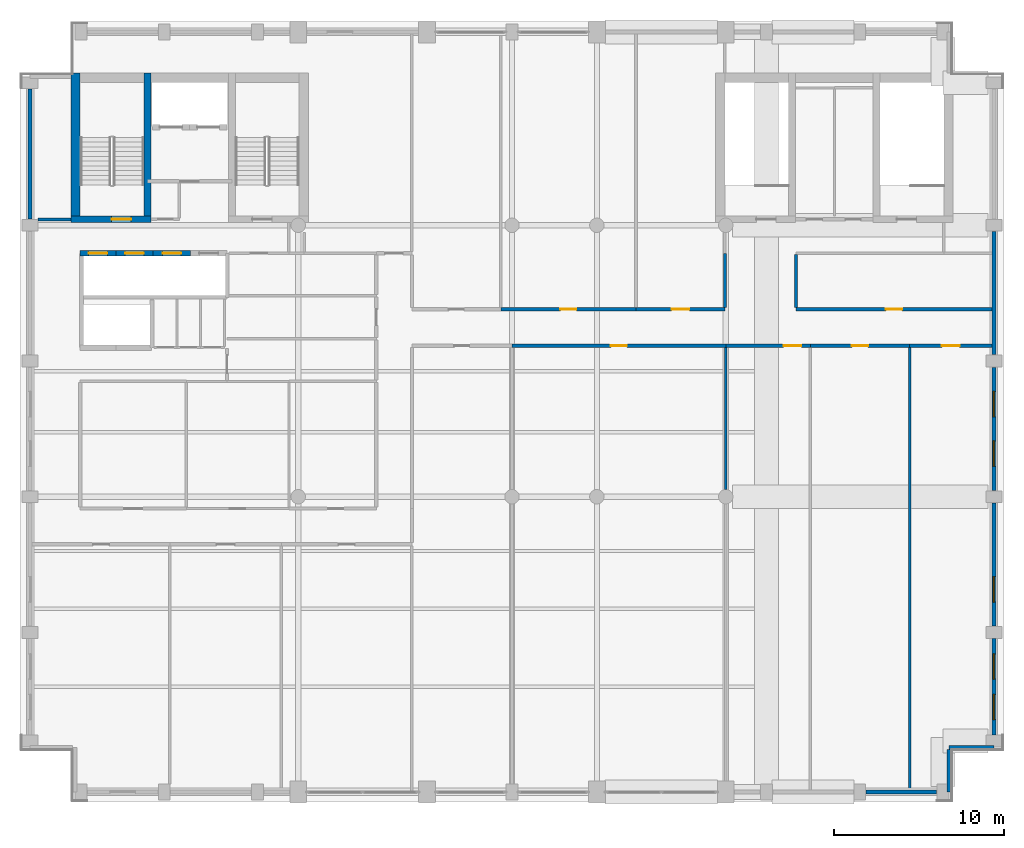
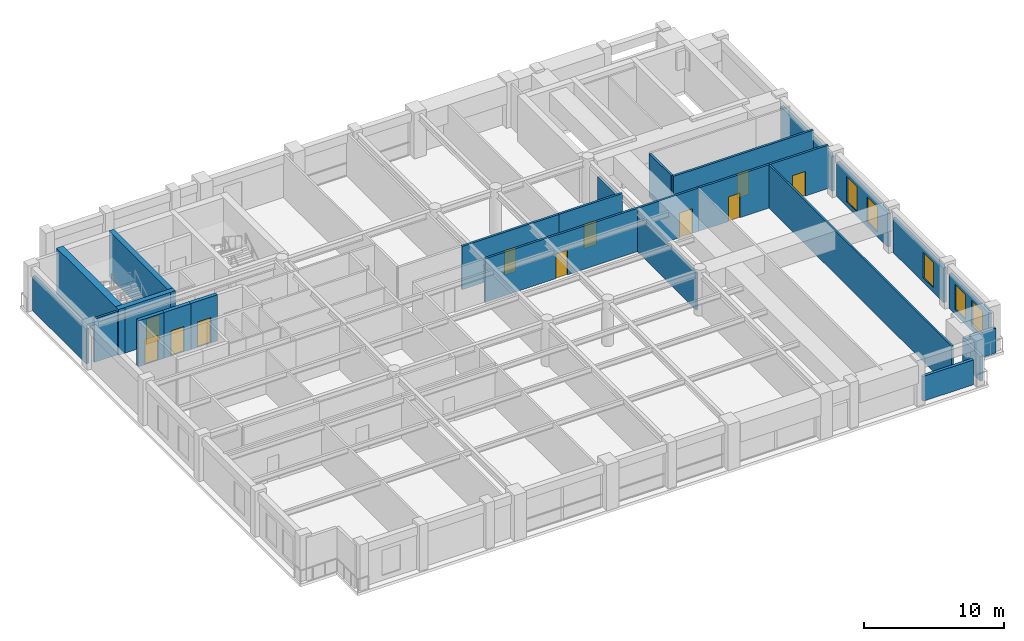
# One storey, part 9 of 14: 26 walls, 11 doors, 5 windows, 16 openings.
"""IFC4 building model written with IfcOpenShell, lengths in metres."""

import ifcopenshell
import ifcopenshell.guid

model = None  # the IFC model being written
_history = None  # IfcOwnerHistory: only IFC2X3 demands one
_inside = {}  # id of a spatial element -> (the spatial element, [elements in it])
_under = {}  # id of a project, library or spatial element -> (it, [spatial elements below it])
_declared = {}  # id of a project -> (the project, [libraries it declares])
_typed = {}  # id of a type object -> (the type object, [elements of that type])
_made_of = {}  # id of a material, layer set ... -> (it, [elements and type objects made of it])


def new_model(schema):
    """Start an empty IFC model of exactly this schema.

    Asked for "IFC4X3", IfcOpenShell would pick the latest addendum, in which some entities
    have other attributes; the version numbers below select the first issue.
    IFC2X3 requires an IfcOwnerHistory on every rooted entity: one is made here for all.
    """
    global model, _history
    if schema == "IFC4X3":
        model = ifcopenshell.file(schema_version=(4, 3, 0, 0))
    else:
        model = ifcopenshell.file(schema=schema)
    _inside.clear()
    _under.clear()
    _declared.clear()
    _typed.clear()
    _made_of.clear()
    _history = None
    if model.schema == "IFC2X3":
        org = make("IfcOrganization", Name="unknown")
        user = make(
            "IfcPersonAndOrganization",
            ThePerson=make("IfcPerson", FamilyName="unknown"),
            TheOrganization=org,
        )
        app = make(
            "IfcApplication",
            ApplicationDeveloper=org,
            Version="unknown",
            ApplicationFullName="unknown",
            ApplicationIdentifier="unknown",
        )
        _history = make(
            "IfcOwnerHistory",
            OwningUser=user,
            OwningApplication=app,
            ChangeAction="ADDED",
            CreationDate=0,
        )
    return model


def make(cls, **values):
    """One entity of the class cls with the attributes given. An attribute that is None is left unset."""
    return model.create_entity(
        cls, **{name: value for name, value in values.items() if value is not None}
    )


def rooted(cls, **values):
    """An entity with a GlobalId (a new one), such as an element, a storey or a relation."""
    return make(cls, GlobalId=ifcopenshell.guid.new(), OwnerHistory=_history, **values)


def si_unit(unit_type, name, prefix=None):
    """IfcSIUnit, for example si_unit("LENGTHUNIT", "METRE", prefix="MILLI")."""
    return make("IfcSIUnit", UnitType=unit_type, Prefix=prefix, Name=name)


def assignment(units):
    """IfcUnitAssignment: the units of a project."""
    return None if units is None else make("IfcUnitAssignment", Units=units)


def point(xyz):
    """IfcCartesianPoint."""
    return None if xyz is None else make("IfcCartesianPoint", Coordinates=xyz)


def direction(xyz):
    """IfcDirection."""
    return None if xyz is None else make("IfcDirection", DirectionRatios=xyz)


def frame(location, z_axis=None, x_axis=None):
    """IfcAxis2Placement3D, a coordinate frame: its origin and axes. An axis left out is left unset."""
    return make(
        "IfcAxis2Placement3D",
        Location=point(location),
        Axis=direction(z_axis),
        RefDirection=direction(x_axis),
    )


def frame_2d(location, x_axis=None):
    """IfcAxis2Placement2D, a coordinate frame in the plane: its origin and x axis."""
    return make(
        "IfcAxis2Placement2D", Location=point(location), RefDirection=direction(x_axis)
    )


def origin():
    """The frame at (0, 0, 0) with its axes left unset."""
    return frame((0.0, 0.0, 0.0))


def place(relative_to, where):
    """IfcLocalPlacement: puts the frame where relative to a parent placement (None: the world)."""
    return make(
        "IfcLocalPlacement", PlacementRelTo=relative_to, RelativePlacement=where
    )


def context(
    kind, dimensions, precision=None, world=None, true_north=None, identifier=None
):
    """IfcGeometricRepresentationContext, for example the 3D "Model" context."""
    return make(
        "IfcGeometricRepresentationContext",
        ContextIdentifier=identifier,
        ContextType=kind,
        CoordinateSpaceDimension=dimensions,
        Precision=precision,
        WorldCoordinateSystem=world,
        TrueNorth=true_north,
    )


def subcontext(parent, identifier, kind, view, scale=None):
    """IfcGeometricRepresentationSubContext, for example "Body" below "Model"."""
    return make(
        "IfcGeometricRepresentationSubContext",
        ContextIdentifier=identifier,
        ContextType=kind,
        ParentContext=parent,
        TargetScale=scale,
        TargetView=view,
    )


def project(units=None, contexts=None):
    """IfcProject with its units and contexts."""
    return rooted(
        "IfcProject",
        Name="project",
        RepresentationContexts=contexts,
        UnitsInContext=assignment(units),
    )


def spatial(cls, under=None, at=None, **own):
    """A site, building, storey or space (cls), placed at a placement, below another one or the project."""
    s = rooted(cls, ObjectPlacement=at, **own)
    if under is not None:
        _under.setdefault(under.id(), (under, []))[1].append(s)
    return s


def profile(cls, at=None, kind="AREA", **sizes):
    """A parametric profile (cls). Its sizes go by their IFC names, for example OverallWidth=200.0."""
    return make(cls, ProfileType=kind, Position=at, **sizes)


def rectangle(**sizes):
    """IfcRectangleProfileDef."""
    return profile("IfcRectangleProfileDef", **sizes)


def extrude(swept, where, along, depth):
    """IfcExtrudedAreaSolid: the profile swept, set in the frame where, extruded along a direction by depth."""
    return make(
        "IfcExtrudedAreaSolid",
        SweptArea=swept,
        Position=where,
        ExtrudedDirection=direction(along),
        Depth=depth,
    )


def shape(context_of_items, identifier, shape_type, items):
    """IfcShapeRepresentation: the items that make up one representation, for example the "Body"."""
    return make(
        "IfcShapeRepresentation",
        ContextOfItems=context_of_items,
        RepresentationIdentifier=identifier,
        RepresentationType=shape_type,
        Items=items,
    )


def material(Name=None, Category=None):
    """IfcMaterial."""
    return make("IfcMaterial", Name=Name, Category=Category)


def layer(
    of_material, thickness, ventilated=None, Name=None, Category=None, Priority=None
):
    """IfcMaterialLayer: one layer of a wall or slab, of a material (None: an air gap)."""
    return make(
        "IfcMaterialLayer",
        Material=of_material,
        LayerThickness=thickness,
        IsVentilated=ventilated,
        Name=Name,
        Category=Category,
        Priority=Priority,
    )


def layer_set(layers, Name=None):
    """IfcMaterialLayerSet."""
    return make("IfcMaterialLayerSet", MaterialLayers=layers, LayerSetName=Name)


def made_of(thing, what):
    """Note that an element or type object is made of a material, layer set ...; save() writes the relation."""
    if what is not None:
        _made_of.setdefault(what.id(), (what, []))[1].append(thing)
    return thing


def type_object(cls, material=None, **own):
    """A type object (cls), such as IfcWallType, which elements share."""
    return made_of(rooted(cls, **own), material)


def element(
    cls,
    number,
    at=None,
    inside=None,
    cuts=None,
    type_object=None,
    material=None,
    context=None,
    identifier="Body",
    shape_type=None,
    held_by="IfcProductDefinitionShape",
    body=None,
    shapes=None,
    **own,
):
    """One element of the class cls, such as IfcWall. Its Tag is "e" and its number.

    at: its placement. inside: the storey or other place that contains it. cuts: it is an
    opening in that element (IfcRelVoidsElement). A single representation is given by context,
    identifier, shape_type and body (its items); several are given by shapes. held_by: the class
    of the entity that holds the representations. save() writes the other relations.
    """
    e = rooted(cls, Tag="e%d" % number, ObjectPlacement=at, **own)
    if body is not None:
        shapes = [shape(context, identifier, shape_type, body)]
    if shapes is not None:
        e.Representation = make(held_by, Representations=shapes)
    if inside is not None:
        _inside.setdefault(inside.id(), (inside, []))[1].append(e)
    if cuts is not None:
        rooted(
            "IfcRelVoidsElement", RelatingBuildingElement=cuts, RelatedOpeningElement=e
        )
    if type_object is not None:
        _typed.setdefault(type_object.id(), (type_object, []))[1].append(e)
    return made_of(e, material)


def fill(opening, filler):
    """IfcRelFillsElement: the door or window that sits in an opening."""
    return rooted(
        "IfcRelFillsElement",
        RelatingOpeningElement=opening,
        RelatedBuildingElement=filler,
    )


def aggregate(whole, parts):
    """IfcRelAggregates: a whole, such as a stair, and the parts it consists of."""
    return rooted("IfcRelAggregates", RelatingObject=whole, RelatedObjects=parts)


def save(model, path):
    """Write the relations noted so far, then the file.

    IfcRelAggregates (storeys below a building ...), IfcRelContainedInSpatialStructure (elements
    in a storey), IfcRelDefinesByType, IfcRelAssociatesMaterial and IfcRelDeclares: one each for
    every whole, place, type object, material and project.
    """
    for whole, parts in _under.values():
        aggregate(whole, parts)
    for where, things in _inside.values():
        rooted(
            "IfcRelContainedInSpatialStructure",
            RelatedElements=things,
            RelatingStructure=where,
        )
    for kind, things in _typed.values():
        rooted("IfcRelDefinesByType", RelatedObjects=things, RelatingType=kind)
    for what, things in _made_of.values():
        rooted("IfcRelAssociatesMaterial", RelatedObjects=things, RelatingMaterial=what)
    for by, libraries in _declared.values():
        rooted("IfcRelDeclares", RelatingContext=by, RelatedDefinitions=libraries)
    model.write(path)


model = new_model("IFC4")

# Units and contexts
model_context = context("Model", 3, precision=1e-05, world=origin(), true_north=direction((0.0, 1.0)))
body_context = subcontext(model_context, "Body", "Model", "MODEL_VIEW")
ifc_project = project(units=[si_unit("LENGTHUNIT", "METRE"), si_unit("AREAUNIT", "SQUARE_METRE"), si_unit("VOLUMEUNIT", "CUBIC_METRE"), si_unit("PLANEANGLEUNIT", "RADIAN"), si_unit("MASSUNIT", "GRAM", prefix="KILO")], contexts=[model_context])

# Site, building, storey
site_placement = place(None, origin())
site = spatial("IfcSite", under=ifc_project, at=site_placement, CompositionType="ELEMENT")
building_placement = place(site_placement, origin())
building = spatial("IfcBuilding", under=site, at=building_placement, Name="Sulina Concourse Tower", CompositionType="ELEMENT")
storey_placement = place(building_placement, frame((0.0, 0.0, 285.0)))
storey = spatial("IfcBuildingStorey", under=building, at=storey_placement, Name="L69", CompositionType="ELEMENT", Elevation=285.0)

# Wall, opening, door
ifc_material_1 = material(Name="Concrete C50/60", Category="concrete")
ifc_layer_1 = layer(ifc_material_1, 0.300048828125)
ifc_layer_set_1 = layer_set([ifc_layer_1], Name="Concrete C50/60")
wall_type_1 = type_object("IfcWallType", Name="Core Lift Hoistway Wall 300mm", PredefinedType="SOLIDWALL", material=ifc_layer_set_1)
wall_1_placement = place(storey_placement, frame((3.550048828125, 32.35009765625, 0.0), z_axis=(0.0, 0.0, 1.0), x_axis=(1.0, 0.0, 0.0)))
wall_1 = element("IfcWall", 1, at=wall_1_placement, inside=storey, type_object=wall_type_1, Name="L69 hoistway enclosure wall LP-09", PredefinedType="SOLIDWALL", context=body_context, shape_type="SweptSolid", body=[
    extrude(rectangle(XDim=2.099853515625, YDim=0.300048828125, at=frame_2d((1.0498046875, 0.0))), origin(), (0.0, 0.0, 1.0), 4.0),
])
opening_1_placement = place(wall_1_placement, frame((0.5, 0.0, 0.0)))
opening_1 = element("IfcOpeningElement", 2, at=opening_1_placement, cuts=wall_1, Name="Opening LD-01", PredefinedType="OPENING", context=body_context, shape_type="SweptSolid", body=[
    extrude(rectangle(XDim=1.10009765625, YDim=2.199951171875, at=frame_2d((0.550048828125, 1.10009765625))), frame((0.0, 0.159912109375, 0.0), z_axis=(0.0, -1.0, 0.0), x_axis=(1.0, 0.0, 0.0)), (0.0, 0.0, 1.0), 0.320068359375),
])
ifc_material_2 = material(Name="Stainless steel lift landing door", Category="steel")
ifc_layer_2 = layer(ifc_material_2, 0.050048828125)
ifc_layer_set_2 = layer_set([ifc_layer_2], Name="Stainless steel lift landing door")
door_type_1 = type_object("IfcDoorType", Name="Passenger Lift Sliding Landing Door 1100x2200", OperationType="SLIDING_TO_LEFT", PredefinedType="DOOR", material=ifc_layer_set_2)
door_1_placement = place(opening_1_placement, origin())
door_1 = element("IfcDoor", 3, at=door_1_placement, inside=storey, type_object=door_type_1, Name="L69 lift landing sliding door LP-09", OperationType="SLIDING_TO_LEFT", OverallHeight=2.199951171875, OverallWidth=1.10009765625, PredefinedType="DOOR", context=body_context, shape_type="SweptSolid", body=[
    extrude(rectangle(XDim=1.10009765625, YDim=2.199951171875, at=frame_2d((0.550048828125, 1.10009765625))), frame((0.0, 0.02490234375, 0.0), z_axis=(0.0, -1.0, 0.0), x_axis=(1.0, 0.0, 0.0)), (0.0, 0.0, 1.0), 0.050048828125),
])
fill(opening_1, door_1)

wall_2_placement = place(storey_placement, frame((5.64990234375, 32.35009765625, 0.0), z_axis=(0.0, 0.0, 1.0), x_axis=(1.0, 0.0, 0.0)))
wall_2 = element("IfcWall", 4, at=wall_2_placement, inside=storey, type_object=wall_type_1, Name="L69 hoistway enclosure wall LP-10", PredefinedType="SOLIDWALL", context=body_context, shape_type="SweptSolid", body=[
    extrude(rectangle(XDim=2.2001953125, YDim=0.300048828125, at=frame_2d((1.10009765625, 0.0))), origin(), (0.0, 0.0, 1.0), 4.0),
])
opening_2_placement = place(wall_2_placement, frame((0.550048828125, 0.0, 0.0)))
opening_2 = element("IfcOpeningElement", 5, at=opening_2_placement, cuts=wall_2, Name="Opening LD-01", PredefinedType="OPENING", context=body_context, shape_type="SweptSolid", body=[
    extrude(rectangle(XDim=1.10009765625, YDim=2.199951171875, at=frame_2d((0.550048828125, 1.10009765625))), frame((0.0, 0.159912109375, 0.0), z_axis=(0.0, -1.0, 0.0), x_axis=(1.0, 0.0, 0.0)), (0.0, 0.0, 1.0), 0.320068359375),
])
door_2_placement = place(opening_2_placement, origin())
door_2 = element("IfcDoor", 6, at=door_2_placement, inside=storey, type_object=door_type_1, Name="L69 lift landing sliding door LP-10", OperationType="SLIDING_TO_RIGHT", OverallHeight=2.199951171875, OverallWidth=1.10009765625, PredefinedType="DOOR", context=body_context, shape_type="SweptSolid", body=[
    extrude(rectangle(XDim=1.10009765625, YDim=2.199951171875, at=frame_2d((0.550048828125, 1.10009765625))), frame((0.0, 0.02490234375, 0.0), z_axis=(0.0, -1.0, 0.0), x_axis=(1.0, 0.0, 0.0)), (0.0, 0.0, 1.0), 0.050048828125),
])
fill(opening_2, door_2)

wall_3_placement = place(storey_placement, frame((7.85009765625, 32.35009765625, 0.0), z_axis=(0.0, 0.0, 1.0), x_axis=(1.0, 0.0, 0.0)))
wall_3 = element("IfcWall", 7, at=wall_3_placement, inside=storey, type_object=wall_type_1, Name="L69 hoistway enclosure wall LP-11", PredefinedType="SOLIDWALL", context=body_context, shape_type="SweptSolid", body=[
    extrude(rectangle(XDim=2.199951171875, YDim=0.300048828125, at=frame_2d((1.10009765625, 0.0))), origin(), (0.0, 0.0, 1.0), 4.0),
])
opening_3_placement = place(wall_3_placement, frame((0.550048828125, 0.0, 0.0)))
opening_3 = element("IfcOpeningElement", 8, at=opening_3_placement, cuts=wall_3, Name="Opening LD-01", PredefinedType="OPENING", context=body_context, shape_type="SweptSolid", body=[
    extrude(rectangle(XDim=1.10009765625, YDim=2.199951171875, at=frame_2d((0.550048828125, 1.10009765625))), frame((0.0, 0.159912109375, 0.0), z_axis=(0.0, -1.0, 0.0), x_axis=(1.0, 0.0, 0.0)), (0.0, 0.0, 1.0), 0.320068359375),
])
door_3_placement = place(opening_3_placement, origin())
door_3 = element("IfcDoor", 9, at=door_3_placement, inside=storey, type_object=door_type_1, Name="L69 lift landing sliding door LP-11", OperationType="SLIDING_TO_LEFT", OverallHeight=2.199951171875, OverallWidth=1.10009765625, PredefinedType="DOOR", context=body_context, shape_type="SweptSolid", body=[
    extrude(rectangle(XDim=1.10009765625, YDim=2.199951171875, at=frame_2d((0.550048828125, 1.10009765625))), frame((0.0, 0.02490234375, 0.0), z_axis=(0.0, -1.0, 0.0), x_axis=(1.0, 0.0, 0.0)), (0.0, 0.0, 1.0), 0.050048828125),
])
fill(opening_3, door_3)

# Walls
ifc_material_3 = material(Name="Precast concrete C50/60", Category="concrete")
ifc_layer_3 = layer(ifc_material_3, 0.239990234375)
ifc_layer_set_3 = layer_set([ifc_layer_3], Name="Precast concrete C50/60")
wall_type_2 = type_object("IfcWallType", Name="Crown Precast Masonry-Frame Facade Wall 240mm", PredefinedType="SOLIDWALL", material=ifc_layer_set_3)
wall_4_placement = place(storey_placement, frame((54.030029296875, 0.60009765625, 0.0), z_axis=(0.0, 0.0, 1.0), x_axis=(-1.0, 0.0, 0.0)))
element("IfcWall", 10, at=wall_4_placement, inside=storey, type_object=wall_type_2, Name="L69 exterior precast wall S10", PredefinedType="SOLIDWALL", context=body_context, shape_type="SweptSolid", body=[
    extrude(rectangle(XDim=4.159912109375, YDim=0.239990234375, at=frame_2d((2.080078125, 0.0))), origin(), (0.0, 0.0, 1.0), 2.1650390625),
])
wall_5_placement = place(storey_placement, frame((0.60009765625, 34.3701171875, 0.0), z_axis=(0.0, 0.0, 1.0), x_axis=(0.0, 1.0, 0.0)))
element("IfcWall", 11, at=wall_5_placement, inside=storey, type_object=wall_type_2, Name="L69 exterior precast wall W5", PredefinedType="SOLIDWALL", context=body_context, shape_type="SweptSolid", body=[
    extrude(rectangle(XDim=7.659912109375, YDim=0.239990234375, at=frame_2d((3.830078125, 0.0))), origin(), (0.0, 0.0, 1.0), 3.02490234375),
])

# Wall, openings, windows
wall_6_placement = place(storey_placement, frame((57.39990234375, 9.6298828125, 0.0), z_axis=(0.0, 0.0, 1.0), x_axis=(0.0, -1.0, 0.0)))
wall_6 = element("IfcWall", 12, at=wall_6_placement, inside=storey, type_object=wall_type_2, Name="L69 exterior precast wall E1", PredefinedType="SOLIDWALL", context=body_context, shape_type="SweptSolid", body=[
    extrude(rectangle(XDim=5.659912109375, YDim=0.239990234375, at=frame_2d((2.830078125, 0.0))), origin(), (0.0, 0.0, 1.0), 3.014892578125),
])
opening_4_placement = place(wall_6_placement, frame((0.88671875, 0.0, 0.419921875)))
opening_4 = element("IfcOpeningElement", 13, at=opening_4_placement, cuts=wall_6, Name="Opening WN-71", PredefinedType="OPENING", context=body_context, shape_type="SweptSolid", body=[
    extrude(rectangle(XDim=1.5, YDim=2.199951171875, at=frame_2d((0.75, 1.10009765625))), frame((0.0, 0.1298828125, 0.0), z_axis=(0.0, -1.0, 0.0), x_axis=(1.0, 0.0, 0.0)), (0.0, 0.0, 1.0), 0.260009765625),
])
opening_5_placement = place(wall_6_placement, frame((3.273193359375, 0.0, 0.419921875)))
opening_5 = element("IfcOpeningElement", 14, at=opening_5_placement, cuts=wall_6, Name="Opening WN-71", PredefinedType="OPENING", context=body_context, shape_type="SweptSolid", body=[
    extrude(rectangle(XDim=1.5, YDim=2.199951171875, at=frame_2d((0.75, 1.10009765625))), frame((0.0, 0.1298828125, 0.0), z_axis=(0.0, -1.0, 0.0), x_axis=(1.0, 0.0, 0.0)), (0.0, 0.0, 1.0), 0.260009765625),
])
ifc_material_4 = material(Name="Low-E solar double glazing in bronze aluminium", Category="aluminium")
window_type = type_object("IfcWindowType", Name="Punched Masonry-Frame Window 1500x2200", PartitioningType="SINGLE_PANEL", PredefinedType="WINDOW", material=ifc_material_4)
window_1_placement = place(opening_4_placement, origin())
window_1 = element("IfcWindow", 15, at=window_1_placement, inside=storey, type_object=window_type, Name="L69 punched window E1-1", OverallHeight=2.199951171875, OverallWidth=1.5, PartitioningType="SINGLE_PANEL", PredefinedType="WINDOW", context=body_context, shape_type="SweptSolid", body=[
    extrude(rectangle(XDim=1.5, YDim=2.199951171875, at=frame_2d((0.75, 1.10009765625))), frame((0.0, 0.030029296875, 0.0), z_axis=(0.0, -1.0, 0.0), x_axis=(1.0, 0.0, 0.0)), (0.0, 0.0, 1.0), 0.06005859375),
])
fill(opening_4, window_1)
window_2_placement = place(opening_5_placement, origin())
window_2 = element("IfcWindow", 16, at=window_2_placement, inside=storey, type_object=window_type, Name="L69 punched window E1-2", OverallHeight=2.199951171875, OverallWidth=1.5, PartitioningType="SINGLE_PANEL", PredefinedType="WINDOW", context=body_context, shape_type="SweptSolid", body=[
    extrude(rectangle(XDim=1.5, YDim=2.199951171875, at=frame_2d((0.75, 1.10009765625))), frame((0.0, 0.030029296875, 0.0), z_axis=(0.0, -1.0, 0.0), x_axis=(1.0, 0.0, 0.0)), (0.0, 0.0, 1.0), 0.06005859375),
])
fill(opening_5, window_2)

# Wall, opening, window
wall_7_placement = place(storey_placement, frame((57.39990234375, 17.6298828125, 0.0), z_axis=(0.0, 0.0, 1.0), x_axis=(0.0, -1.0, 0.0)))
wall_7 = element("IfcWall", 17, at=wall_7_placement, inside=storey, type_object=wall_type_2, Name="L69 exterior precast wall E2", PredefinedType="SOLIDWALL", context=body_context, shape_type="SweptSolid", body=[
    extrude(rectangle(XDim=7.259765625, YDim=0.239990234375, at=frame_2d((3.6298828125, 0.0))), origin(), (0.0, 0.0, 1.0), 3.014892578125),
])
opening_6_placement = place(wall_7_placement, frame((4.340087890625, 0.0, 0.419921875)))
opening_6 = element("IfcOpeningElement", 18, at=opening_6_placement, cuts=wall_7, Name="Opening WN-71", PredefinedType="OPENING", context=body_context, shape_type="SweptSolid", body=[
    extrude(rectangle(XDim=1.5, YDim=2.199951171875, at=frame_2d((0.75, 1.10009765625))), frame((0.0, 0.1298828125, 0.0), z_axis=(0.0, -1.0, 0.0), x_axis=(1.0, 0.0, 0.0)), (0.0, 0.0, 1.0), 0.260009765625),
])
window_3_placement = place(opening_6_placement, origin())
window_3 = element("IfcWindow", 19, at=window_3_placement, inside=storey, type_object=window_type, Name="L69 punched window E2-1", OverallHeight=2.199951171875, OverallWidth=1.5, PartitioningType="SINGLE_PANEL", PredefinedType="WINDOW", context=body_context, shape_type="SweptSolid", body=[
    extrude(rectangle(XDim=1.5, YDim=2.199951171875, at=frame_2d((0.75, 1.10009765625))), frame((0.0, 0.030029296875, 0.0), z_axis=(0.0, -1.0, 0.0), x_axis=(1.0, 0.0, 0.0)), (0.0, 0.0, 1.0), 0.06005859375),
])
fill(opening_6, window_3)

# Wall, openings, windows
wall_8_placement = place(storey_placement, frame((57.39990234375, 25.6298828125, 0.0), z_axis=(0.0, 0.0, 1.0), x_axis=(0.0, -1.0, 0.0)))
wall_8 = element("IfcWall", 20, at=wall_8_placement, inside=storey, type_object=wall_type_2, Name="L69 exterior precast wall E3", PredefinedType="SOLIDWALL", context=body_context, shape_type="SweptSolid", body=[
    extrude(rectangle(XDim=7.259765625, YDim=0.239990234375, at=frame_2d((3.6298828125, 0.0))), origin(), (0.0, 0.0, 1.0), 3.014892578125),
])
opening_7_placement = place(wall_8_placement, frame((1.419921875, 0.0, 0.419921875)))
opening_7 = element("IfcOpeningElement", 21, at=opening_7_placement, cuts=wall_8, Name="Opening WN-71", PredefinedType="OPENING", context=body_context, shape_type="SweptSolid", body=[
    extrude(rectangle(XDim=1.5, YDim=2.199951171875, at=frame_2d((0.75, 1.10009765625))), frame((0.0, 0.1298828125, 0.0), z_axis=(0.0, -1.0, 0.0), x_axis=(1.0, 0.0, 0.0)), (0.0, 0.0, 1.0), 0.260009765625),
])
opening_8_placement = place(wall_8_placement, frame((4.340087890625, 0.0, 0.419921875)))
opening_8 = element("IfcOpeningElement", 22, at=opening_8_placement, cuts=wall_8, Name="Opening WN-71", PredefinedType="OPENING", context=body_context, shape_type="SweptSolid", body=[
    extrude(rectangle(XDim=1.5, YDim=2.199951171875, at=frame_2d((0.75, 1.10009765625))), frame((0.0, 0.1298828125, 0.0), z_axis=(0.0, -1.0, 0.0), x_axis=(1.0, 0.0, 0.0)), (0.0, 0.0, 1.0), 0.260009765625),
])
window_4_placement = place(opening_7_placement, origin())
window_4 = element("IfcWindow", 23, at=window_4_placement, inside=storey, type_object=window_type, Name="L69 punched window E3-1", OverallHeight=2.199951171875, OverallWidth=1.5, PartitioningType="SINGLE_PANEL", PredefinedType="WINDOW", context=body_context, shape_type="SweptSolid", body=[
    extrude(rectangle(XDim=1.5, YDim=2.199951171875, at=frame_2d((0.75, 1.10009765625))), frame((0.0, 0.030029296875, 0.0), z_axis=(0.0, -1.0, 0.0), x_axis=(1.0, 0.0, 0.0)), (0.0, 0.0, 1.0), 0.06005859375),
])
fill(opening_7, window_4)
window_5_placement = place(opening_8_placement, origin())
window_5 = element("IfcWindow", 24, at=window_5_placement, inside=storey, type_object=window_type, Name="L69 punched window E3-2", OverallHeight=2.199951171875, OverallWidth=1.5, PartitioningType="SINGLE_PANEL", PredefinedType="WINDOW", context=body_context, shape_type="SweptSolid", body=[
    extrude(rectangle(XDim=1.5, YDim=2.199951171875, at=frame_2d((0.75, 1.10009765625))), frame((0.0, 0.030029296875, 0.0), z_axis=(0.0, -1.0, 0.0), x_axis=(1.0, 0.0, 0.0)), (0.0, 0.0, 1.0), 0.06005859375),
])
fill(opening_8, window_5)

# Walls
wall_9_placement = place(storey_placement, frame((57.39990234375, 33.6298828125, 0.0), z_axis=(0.0, 0.0, 1.0), x_axis=(0.0, -1.0, 0.0)))
element("IfcWall", 25, at=wall_9_placement, inside=storey, type_object=wall_type_2, Name="L69 exterior precast wall E4", PredefinedType="SOLIDWALL", context=body_context, shape_type="SweptSolid", body=[
    extrude(rectangle(XDim=7.259765625, YDim=0.239990234375, at=frame_2d((3.6298828125, 0.0))), origin(), (0.0, 0.0, 1.0), 3.014892578125),
])
wall_10_placement = place(storey_placement, frame((57.39990234375, 3.22998046875, 0.0), z_axis=(0.0, 0.0, 1.0), x_axis=(-1.0, 0.0, 0.0)))
element("IfcWall", 26, at=wall_10_placement, inside=storey, type_object=wall_type_2, Name="L69 exterior precast wall CSE1", PredefinedType="SOLIDWALL", context=body_context, shape_type="SweptSolid", body=[
    extrude(rectangle(XDim=2.6298828125, YDim=0.239990234375, at=frame_2d((1.31494140625, 0.0))), origin(), (0.0, 0.0, 1.0), 2.1650390625),
])
wall_11_placement = place(storey_placement, frame((54.77001953125, 3.10498046875, 0.0), z_axis=(0.0, 0.0, 1.0), x_axis=(0.0, -1.0, 0.0)))
element("IfcWall", 27, at=wall_11_placement, inside=storey, type_object=wall_type_2, Name="L69 exterior precast wall CSE2", PredefinedType="SOLIDWALL", context=body_context, shape_type="SweptSolid", body=[
    extrude(rectangle(XDim=2.5048828125, YDim=0.239990234375, at=frame_2d((1.25244140625, 0.0))), origin(), (0.0, 0.0, 1.0), 2.1650390625),
])
ifc_material_5 = material(Name="Gypsum board on steel stud", Category="steel")
ifc_layer_4 = layer(ifc_material_5, 0.14990234375)
ifc_layer_set_4 = layer_set([ifc_layer_4], Name="Gypsum board on steel stud")
wall_type_3 = type_object("IfcWallType", Name="Inter-Tenancy Acoustic Partition 150mm", PredefinedType="PARTITIONING", material=ifc_layer_set_4)
wall_12_placement = place(storey_placement, frame((41.60009765625, 18.425048828125, 0.0), z_axis=(0.0, 0.0, 1.0), x_axis=(0.0, 1.0, 0.0)))
element("IfcWall", 28, at=wall_12_placement, inside=storey, type_object=wall_type_3, Name="L69 interior partition 064", PredefinedType="PARTITIONING", context=body_context, shape_type="SweptSolid", body=[
    extrude(rectangle(XDim=8.385009765625, YDim=0.14990234375, at=frame_2d((4.1923828125, 0.0))), origin(), (0.0, 0.0, 1.0), 3.219970703125),
])
wall_13_placement = place(storey_placement, frame((52.43994140625, 0.719970703125, 0.0), z_axis=(0.0, 0.0, 1.0), x_axis=(0.0, 1.0, 0.0)))
element("IfcWall", 29, at=wall_13_placement, inside=storey, type_object=wall_type_3, Name="L69 interior partition 068", PredefinedType="PARTITIONING", context=body_context, shape_type="SweptSolid", body=[
    extrude(rectangle(XDim=26.090087890625, YDim=0.14990234375, at=frame_2d((13.044921875, 0.0))), origin(), (0.0, 0.0, 1.0), 3.77490234375),
])

# Wall, opening, door
ifc_material_6 = material(Name="Gypsum board on steel stud", Category="steel")
ifc_layer_5 = layer(ifc_material_6, 0.179931640625)
ifc_layer_set_5 = layer_set([ifc_layer_5], Name="Gypsum board on steel stud")
wall_type_4 = type_object("IfcWallType", Name="Protected Corridor & Riser Partition 180mm", PredefinedType="PARTITIONING", material=ifc_layer_set_5)
wall_14_placement = place(storey_placement, frame((29.0, 26.89990234375, 0.0), z_axis=(0.0, 0.0, 1.0), x_axis=(1.0, 0.0, 0.0)))
wall_14 = element("IfcWall", 30, at=wall_14_placement, inside=storey, type_object=wall_type_4, Name="L69 interior partition 015", PredefinedType="PARTITIONING", context=body_context, shape_type="SweptSolid", body=[
    extrude(rectangle(XDim=12.60009765625, YDim=0.179931640625, at=frame_2d((6.300048828125, 0.0))), origin(), (0.0, 0.0, 1.0), 3.77490234375),
])
opening_9_placement = place(wall_14_placement, frame((5.824951171875, 0.0, 0.0)))
opening_9 = element("IfcOpeningElement", 31, at=opening_9_placement, cuts=wall_14, Name="Opening DR-19", PredefinedType="OPENING", context=body_context, shape_type="SweptSolid", body=[
    extrude(rectangle(XDim=0.949951171875, YDim=2.14990234375, at=frame_2d((0.47509765625, 1.074951171875))), frame((0.0, 0.099853515625, 0.0), z_axis=(0.0, -1.0, 0.0), x_axis=(1.0, 0.0, 0.0)), (0.0, 0.0, 1.0), 0.199951171875),
])
ifc_material_7 = material(Name="Oak-veneered acoustic timber leaf", Category="wood")
ifc_layer_6 = layer(ifc_material_7, 0.050048828125)
ifc_layer_set_6 = layer_set([ifc_layer_6], Name="Oak-veneered acoustic timber leaf")
door_type_2 = type_object("IfcDoorType", Name="Cellular Office & Meeting Door 950x2150", OperationType="NOTDEFINED", PredefinedType="DOOR", material=ifc_layer_set_6)
door_4_placement = place(opening_9_placement, origin())
door_4 = element("IfcDoor", 32, at=door_4_placement, inside=storey, type_object=door_type_2, Name="L69 interior door L69-S04", OperationType="SINGLE_SWING_LEFT", OverallHeight=2.14990234375, OverallWidth=0.949951171875, PredefinedType="DOOR", context=body_context, shape_type="SweptSolid", body=[
    extrude(rectangle(XDim=0.949951171875, YDim=2.14990234375, at=frame_2d((0.47509765625, 1.074951171875))), frame((0.0, 0.02490234375, 0.0), z_axis=(0.0, -1.0, 0.0), x_axis=(1.0, 0.0, 0.0)), (0.0, 0.0, 1.0), 0.050048828125),
])
fill(opening_9, door_4)

wall_15_placement = place(storey_placement, frame((41.60009765625, 26.89990234375, 0.0), z_axis=(0.0, 0.0, 1.0), x_axis=(1.0, 0.0, 0.0)))
wall_15 = element("IfcWall", 33, at=wall_15_placement, inside=storey, type_object=wall_type_4, Name="L69 interior partition 016", PredefinedType="PARTITIONING", context=body_context, shape_type="SweptSolid", body=[
    extrude(rectangle(XDim=4.989990234375, YDim=0.179931640625, at=frame_2d((2.4951171875, 0.0))), origin(), (0.0, 0.0, 1.0), 3.77490234375),
])
opening_10_placement = place(wall_15_placement, frame((3.409912109375, 0.0, 0.0)))
opening_10 = element("IfcOpeningElement", 34, at=opening_10_placement, cuts=wall_15, Name="Opening DR-37", PredefinedType="OPENING", context=body_context, shape_type="SweptSolid", body=[
    extrude(rectangle(XDim=1.050048828125, YDim=2.14990234375, at=frame_2d((0.52490234375, 1.074951171875))), frame((0.0, 0.099853515625, 0.0), z_axis=(0.0, -1.0, 0.0), x_axis=(1.0, 0.0, 0.0)), (0.0, 0.0, 1.0), 0.199951171875),
])
ifc_material_8 = material(Name="Oak-veneered fire door leaf")
ifc_layer_7 = layer(ifc_material_8, 0.050048828125)
ifc_layer_set_7 = layer_set([ifc_layer_7], Name="Oak-veneered fire door leaf")
door_type_3 = type_object("IfcDoorType", Name="Tenant Suite Entrance Fire Door 1050x2150", OperationType="NOTDEFINED", PredefinedType="DOOR", material=ifc_layer_set_7)
door_5_placement = place(opening_10_placement, origin())
door_5 = element("IfcDoor", 35, at=door_5_placement, inside=storey, type_object=door_type_3, Name="L69 interior door L69-S05A", OperationType="SINGLE_SWING_RIGHT", OverallHeight=2.14990234375, OverallWidth=1.050048828125, PredefinedType="DOOR", context=body_context, shape_type="SweptSolid", body=[
    extrude(rectangle(XDim=1.050048828125, YDim=2.14990234375, at=frame_2d((0.52490234375, 1.074951171875))), frame((0.0, 0.02490234375, 0.0), z_axis=(0.0, -1.0, 0.0), x_axis=(1.0, 0.0, 0.0)), (0.0, 0.0, 1.0), 0.050048828125),
])
fill(opening_10, door_5)

wall_16_placement = place(storey_placement, frame((46.590087890625, 26.89990234375, 0.0), z_axis=(0.0, 0.0, 1.0), x_axis=(1.0, 0.0, 0.0)))
wall_16 = element("IfcWall", 36, at=wall_16_placement, inside=storey, type_object=wall_type_4, Name="L69 interior partition 017", PredefinedType="PARTITIONING", context=body_context, shape_type="SweptSolid", body=[
    extrude(rectangle(XDim=5.849853515625, YDim=0.179931640625, at=frame_2d((2.9248046875, 0.0))), origin(), (0.0, 0.0, 1.0), 3.77490234375),
])
opening_11_placement = place(wall_16_placement, frame((2.449951171875, 0.0, 0.0)))
opening_11 = element("IfcOpeningElement", 37, at=opening_11_placement, cuts=wall_16, Name="Opening DR-19", PredefinedType="OPENING", context=body_context, shape_type="SweptSolid", body=[
    extrude(rectangle(XDim=0.949951171875, YDim=2.14990234375, at=frame_2d((0.47509765625, 1.074951171875))), frame((0.0, 0.099853515625, 0.0), z_axis=(0.0, -1.0, 0.0), x_axis=(1.0, 0.0, 0.0)), (0.0, 0.0, 1.0), 0.199951171875),
])
door_6_placement = place(opening_11_placement, origin())
door_6 = element("IfcDoor", 38, at=door_6_placement, inside=storey, type_object=door_type_2, Name="L69 interior door L69-S05B", OperationType="SINGLE_SWING_LEFT", OverallHeight=2.14990234375, OverallWidth=0.949951171875, PredefinedType="DOOR", context=body_context, shape_type="SweptSolid", body=[
    extrude(rectangle(XDim=0.949951171875, YDim=2.14990234375, at=frame_2d((0.47509765625, 1.074951171875))), frame((0.0, 0.02490234375, 0.0), z_axis=(0.0, -1.0, 0.0), x_axis=(1.0, 0.0, 0.0)), (0.0, 0.0, 1.0), 0.050048828125),
])
fill(opening_11, door_6)

wall_17_placement = place(storey_placement, frame((52.43994140625, 26.89990234375, 0.0), z_axis=(0.0, 0.0, 1.0), x_axis=(1.0, 0.0, 0.0)))
wall_17 = element("IfcWall", 39, at=wall_17_placement, inside=storey, type_object=wall_type_4, Name="L69 interior partition 018", PredefinedType="PARTITIONING", context=body_context, shape_type="SweptSolid", body=[
    extrude(rectangle(XDim=4.840087890625, YDim=0.179931640625, at=frame_2d((2.419921875, 0.0))), origin(), (0.0, 0.0, 1.0), 3.77490234375),
])
opening_12_placement = place(wall_17_placement, frame((1.89501953125, 0.0, 0.0)))
opening_12 = element("IfcOpeningElement", 40, at=opening_12_placement, cuts=wall_17, Name="Opening DR-37", PredefinedType="OPENING", context=body_context, shape_type="SweptSolid", body=[
    extrude(rectangle(XDim=1.050048828125, YDim=2.14990234375, at=frame_2d((0.52490234375, 1.074951171875))), frame((0.0, 0.099853515625, 0.0), z_axis=(0.0, -1.0, 0.0), x_axis=(1.0, 0.0, 0.0)), (0.0, 0.0, 1.0), 0.199951171875),
])
door_7_placement = place(opening_12_placement, origin())
door_7 = element("IfcDoor", 41, at=door_7_placement, inside=storey, type_object=door_type_3, Name="L69 interior door L69-S06", OperationType="SINGLE_SWING_RIGHT", OverallHeight=2.14990234375, OverallWidth=1.050048828125, PredefinedType="DOOR", context=body_context, shape_type="SweptSolid", body=[
    extrude(rectangle(XDim=1.050048828125, YDim=2.14990234375, at=frame_2d((0.52490234375, 1.074951171875))), frame((0.0, 0.02490234375, 0.0), z_axis=(0.0, -1.0, 0.0), x_axis=(1.0, 0.0, 0.0)), (0.0, 0.0, 1.0), 0.050048828125),
])
fill(opening_12, door_7)

wall_18_placement = place(storey_placement, frame((28.340087890625, 29.050048828125, 0.0), z_axis=(0.0, 0.0, 1.0), x_axis=(1.0, 0.0, 0.0)))
wall_18 = element("IfcWall", 42, at=wall_18_placement, inside=storey, type_object=wall_type_4, Name="L69 interior partition 021", PredefinedType="PARTITIONING", context=body_context, shape_type="SweptSolid", body=[
    extrude(rectangle(XDim=7.969970703125, YDim=0.179931640625, at=frame_2d((3.98486328125, 0.0))), origin(), (0.0, 0.0, 1.0), 3.77490234375),
])
opening_13_placement = place(wall_18_placement, frame((3.510009765625, 0.0, 0.0)))
opening_13 = element("IfcOpeningElement", 43, at=opening_13_placement, cuts=wall_18, Name="Opening DR-19", PredefinedType="OPENING", context=body_context, shape_type="SweptSolid", body=[
    extrude(rectangle(XDim=0.949951171875, YDim=2.14990234375, at=frame_2d((0.47509765625, 1.074951171875))), frame((0.0, 0.099853515625, 0.0), z_axis=(0.0, -1.0, 0.0), x_axis=(1.0, 0.0, 0.0)), (0.0, 0.0, 1.0), 0.199951171875),
])
door_8_placement = place(opening_13_placement, origin())
door_8 = element("IfcDoor", 44, at=door_8_placement, inside=storey, type_object=door_type_2, Name="L69 interior door L69-NC2", OperationType="SINGLE_SWING_RIGHT", OverallHeight=2.14990234375, OverallWidth=0.949951171875, PredefinedType="DOOR", context=body_context, shape_type="SweptSolid", body=[
    extrude(rectangle(XDim=0.949951171875, YDim=2.14990234375, at=frame_2d((0.47509765625, 1.074951171875))), frame((0.0, 0.02490234375, 0.0), z_axis=(0.0, -1.0, 0.0), x_axis=(1.0, 0.0, 0.0)), (0.0, 0.0, 1.0), 0.050048828125),
])
fill(opening_13, door_8)

wall_19_placement = place(storey_placement, frame((36.31005859375, 29.050048828125, 0.0), z_axis=(0.0, 0.0, 1.0), x_axis=(1.0, 0.0, 0.0)))
wall_19 = element("IfcWall", 45, at=wall_19_placement, inside=storey, type_object=wall_type_4, Name="L69 interior partition 022", PredefinedType="PARTITIONING", context=body_context, shape_type="SweptSolid", body=[
    extrude(rectangle(XDim=5.239990234375, YDim=0.179931640625, at=frame_2d((2.6201171875, 0.0))), origin(), (0.0, 0.0, 1.0), 3.77490234375),
])
opening_14_placement = place(wall_19_placement, frame((2.094970703125, 0.0, 0.0)))
opening_14 = element("IfcOpeningElement", 46, at=opening_14_placement, cuts=wall_19, Name="Opening DR-37", PredefinedType="OPENING", context=body_context, shape_type="SweptSolid", body=[
    extrude(rectangle(XDim=1.050048828125, YDim=2.14990234375, at=frame_2d((0.52490234375, 1.074951171875))), frame((0.0, 0.099853515625, 0.0), z_axis=(0.0, -1.0, 0.0), x_axis=(1.0, 0.0, 0.0)), (0.0, 0.0, 1.0), 0.199951171875),
])
door_9_placement = place(opening_14_placement, origin())
door_9 = element("IfcDoor", 47, at=door_9_placement, inside=storey, type_object=door_type_3, Name="L69 interior door L69-NC3", OperationType="SINGLE_SWING_LEFT", OverallHeight=2.14990234375, OverallWidth=1.050048828125, PredefinedType="DOOR", context=body_context, shape_type="SweptSolid", body=[
    extrude(rectangle(XDim=1.050048828125, YDim=2.14990234375, at=frame_2d((0.52490234375, 1.074951171875))), frame((0.0, 0.02490234375, 0.0), z_axis=(0.0, -1.0, 0.0), x_axis=(1.0, 0.0, 0.0)), (0.0, 0.0, 1.0), 0.050048828125),
])
fill(opening_14, door_9)

wall_20_placement = place(storey_placement, frame((45.75, 29.050048828125, 0.0), z_axis=(0.0, 0.0, 1.0), x_axis=(1.0, 0.0, 0.0)))
wall_20 = element("IfcWall", 48, at=wall_20_placement, inside=storey, type_object=wall_type_4, Name="L69 interior partition 023", PredefinedType="PARTITIONING", context=body_context, shape_type="SweptSolid", body=[
    extrude(rectangle(XDim=11.530029296875, YDim=0.179931640625, at=frame_2d((5.76513671875, 0.0))), origin(), (0.0, 0.0, 1.0), 3.77490234375),
])
opening_15_placement = place(wall_20_placement, frame((5.2900390625, 0.0, 0.0)))
opening_15 = element("IfcOpeningElement", 49, at=opening_15_placement, cuts=wall_20, Name="Opening DR-19", PredefinedType="OPENING", context=body_context, shape_type="SweptSolid", body=[
    extrude(rectangle(XDim=0.949951171875, YDim=2.14990234375, at=frame_2d((0.47509765625, 1.074951171875))), frame((0.0, 0.099853515625, 0.0), z_axis=(0.0, -1.0, 0.0), x_axis=(1.0, 0.0, 0.0)), (0.0, 0.0, 1.0), 0.199951171875),
])
door_10_placement = place(opening_15_placement, origin())
door_10 = element("IfcDoor", 50, at=door_10_placement, inside=storey, type_object=door_type_2, Name="L69 interior door L69-NE1", OperationType="SINGLE_SWING_RIGHT", OverallHeight=2.14990234375, OverallWidth=0.949951171875, PredefinedType="DOOR", context=body_context, shape_type="SweptSolid", body=[
    extrude(rectangle(XDim=0.949951171875, YDim=2.14990234375, at=frame_2d((0.47509765625, 1.074951171875))), frame((0.0, 0.02490234375, 0.0), z_axis=(0.0, -1.0, 0.0), x_axis=(1.0, 0.0, 0.0)), (0.0, 0.0, 1.0), 0.050048828125),
])
fill(opening_15, door_10)

# Walls
wall_21_placement = place(storey_placement, frame((1.074951171875, 34.35009765625, 0.0), z_axis=(0.0, 0.0, 1.0), x_axis=(1.0, 0.0, 0.0)))
element("IfcWall", 51, at=wall_21_placement, inside=storey, type_object=wall_type_4, Name="L69 interior partition 031", PredefinedType="PARTITIONING", context=body_context, shape_type="SweptSolid", body=[
    extrude(rectangle(XDim=1.925048828125, YDim=0.179931640625, at=frame_2d((0.96240234375, 0.0))), origin(), (0.0, 0.0, 1.0), 3.77490234375),
])
wall_22_placement = place(storey_placement, frame((41.550048828125, 29.139892578125, 0.0), z_axis=(0.0, 0.0, 1.0), x_axis=(0.0, 1.0, 0.0)))
element("IfcWall", 52, at=wall_22_placement, inside=storey, type_object=wall_type_4, Name="L69 interior partition 060", PredefinedType="PARTITIONING", context=body_context, shape_type="SweptSolid", body=[
    extrude(rectangle(XDim=3.210205078125, YDim=0.179931640625, at=frame_2d((1.60498046875, 0.0))), origin(), (0.0, 0.0, 1.0), 3.219970703125),
])
wall_23_placement = place(storey_placement, frame((45.75, 29.139892578125, 0.0), z_axis=(0.0, 0.0, 1.0), x_axis=(0.0, 1.0, 0.0)))
element("IfcWall", 53, at=wall_23_placement, inside=storey, type_object=wall_type_4, Name="L69 interior partition 065", PredefinedType="PARTITIONING", context=body_context, shape_type="SweptSolid", body=[
    extrude(rectangle(XDim=3.135009765625, YDim=0.179931640625, at=frame_2d((1.5673828125, 0.0))), origin(), (0.0, 0.0, 1.0), 3.77490234375),
])

# Wall, opening, door
ifc_material_9 = material(Name="Concrete C60/75", Category="concrete")
ifc_layer_8 = layer(ifc_material_9, 0.39990234375)
ifc_layer_set_8 = layer_set([ifc_layer_8], Name="Concrete C60/75")
wall_type_5 = type_object("IfcWallType", Name="Protected Stair Core Shear Wall 400mm", PredefinedType="SHEAR", material=ifc_layer_set_8)
wall_24_placement = place(storey_placement, frame((3.0, 34.35009765625, 0.0), z_axis=(0.0, 0.0, 1.0), x_axis=(1.0, 0.0, 0.0)))
wall_24 = element("IfcWall", 54, at=wall_24_placement, inside=storey, type_object=wall_type_5, Name="L69 west core shear wall CW-WS1", PredefinedType="SHEAR", context=body_context, shape_type="SweptSolid", body=[
    extrude(rectangle(XDim=4.7099609375, YDim=0.39990234375, at=frame_2d((2.35498046875, 0.0))), origin(), (0.0, 0.0, 1.0), 4.0),
])
opening_16_placement = place(wall_24_placement, frame((2.39990234375, 0.0, 0.0)))
opening_16 = element("IfcOpeningElement", 55, at=opening_16_placement, cuts=wall_24, Name="Opening DR-60", PredefinedType="OPENING", context=body_context, shape_type="SweptSolid", body=[
    extrude(rectangle(XDim=1.14990234375, YDim=2.199951171875, at=frame_2d((0.574951171875, 1.10009765625))), frame((0.0, 0.2099609375, 0.0), z_axis=(0.0, -1.0, 0.0), x_axis=(1.0, 0.0, 0.0)), (0.0, 0.0, 1.0), 0.419921875),
])
ifc_material_10 = material(Name="Galvanised steel acoustic fire leaf", Category="steel")
ifc_layer_9 = layer(ifc_material_10, 0.054931640625)
ifc_layer_set_9 = layer_set([ifc_layer_9], Name="Galvanised steel acoustic fire leaf")
door_type_4 = type_object("IfcDoorType", Name="Protected Exit Stair Fire Door 1150x2200", OperationType="NOTDEFINED", PredefinedType="DOOR", material=ifc_layer_set_9)
door_11_placement = place(opening_16_placement, origin())
door_11 = element("IfcDoor", 56, at=door_11_placement, inside=storey, type_object=door_type_4, Name="L69 stair ST-1 lobby fire door", OperationType="SINGLE_SWING_RIGHT", OverallHeight=2.199951171875, OverallWidth=1.14990234375, PredefinedType="DOOR", context=body_context, shape_type="SweptSolid", body=[
    extrude(rectangle(XDim=1.14990234375, YDim=2.199951171875, at=frame_2d((0.574951171875, 1.10009765625))), frame((0.0, 0.02490234375, 0.0), z_axis=(0.0, -1.0, 0.0), x_axis=(1.0, 0.0, 0.0)), (0.0, 0.0, 1.0), 0.050048828125),
])
fill(opening_16, door_11)

# Walls
wall_25_placement = place(storey_placement, frame((7.510009765625, 34.14990234375, 0.0), z_axis=(0.0, 0.0, 1.0), x_axis=(0.0, 1.0, 0.0)))
element("IfcWall", 57, at=wall_25_placement, inside=storey, type_object=wall_type_5, Name="L69 west core shear wall SW-ST1", PredefinedType="SHEAR", context=body_context, shape_type="SweptSolid", body=[
    extrude(rectangle(XDim=8.830078125, YDim=0.39990234375, at=frame_2d((4.4150390625, 0.0))), origin(), (0.0, 0.0, 1.0), 4.0),
])
ifc_material_11 = material(Name="Concrete C50/60", Category="concrete")
ifc_layer_10 = layer(ifc_material_11, 0.550048828125)
ifc_layer_set_10 = layer_set([ifc_layer_10], Name="Concrete C50/60")
wall_type_6 = type_object("IfcWallType", Name="Upper Core Shear Wall 550mm", PredefinedType="SHEAR", material=ifc_layer_set_10)
wall_26_placement = place(storey_placement, frame((3.27490234375, 34.14990234375, 0.0), z_axis=(0.0, 0.0, 1.0), x_axis=(0.0, 1.0, 0.0)))
element("IfcWall", 58, at=wall_26_placement, inside=storey, type_object=wall_type_6, Name="L69 west core shear wall CW-WW", PredefinedType="SHEAR", context=body_context, shape_type="SweptSolid", body=[
    extrude(rectangle(XDim=8.830078125, YDim=0.550048828125, at=frame_2d((4.4150390625, 0.0))), origin(), (0.0, 0.0, 1.0), 4.0),
])

save(model, "model.ifc")
